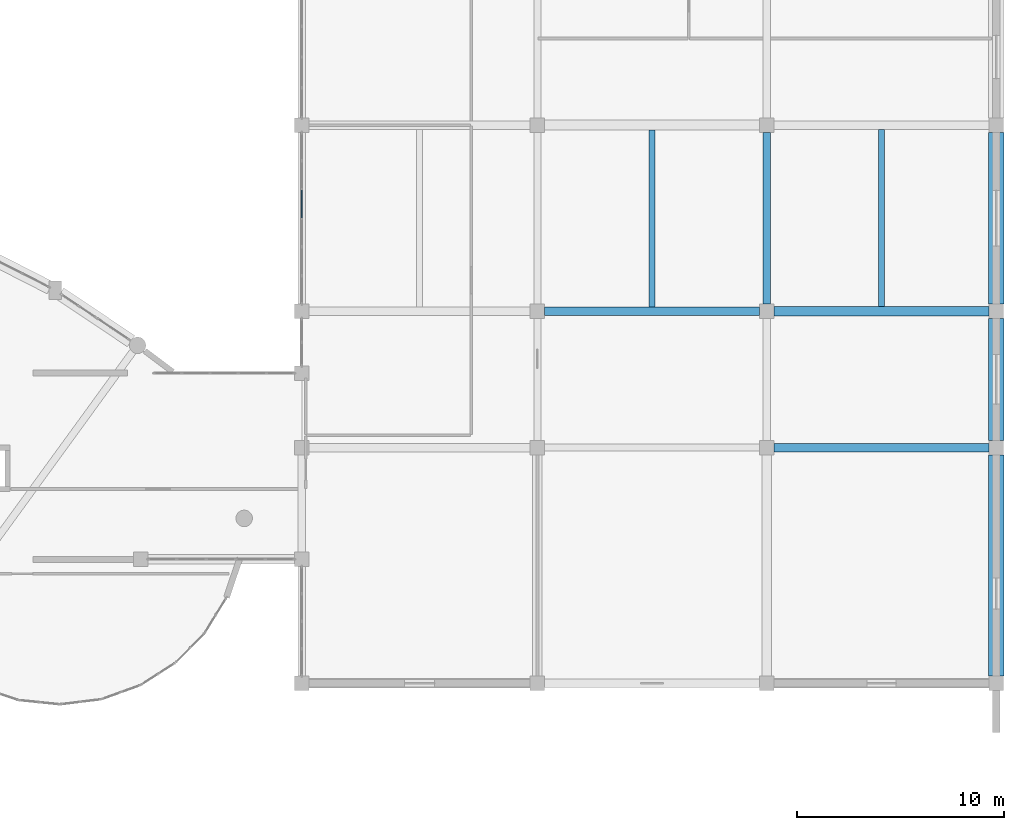
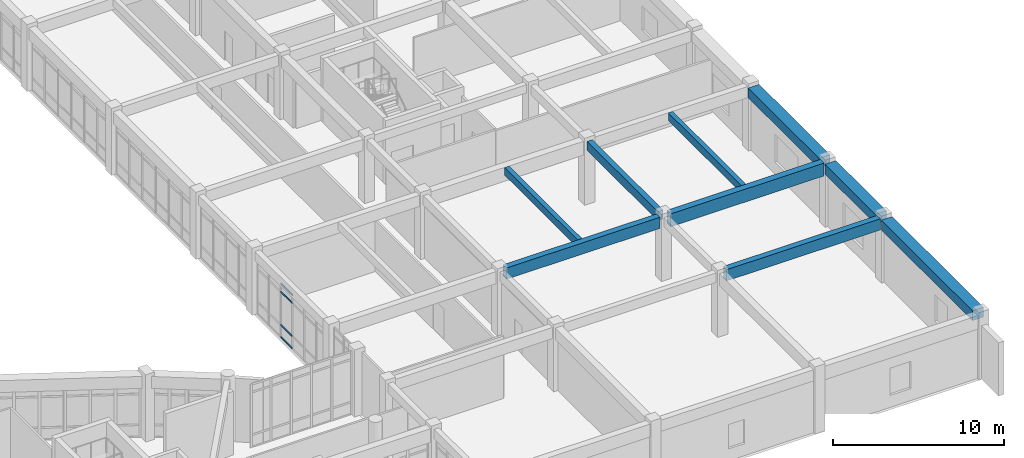
# One storey, part 26 of 65: 9 beams, 4 members, 1 element without a shape of its own.
"""IFC4 building model written with IfcOpenShell, lengths in metres."""

from ifc_helpers import new_model, si_unit, direction, frame, origin, origin_2d, place, context, subcontext, project, spatial, rectangle, extrude, material, layer, layer_set, material_profile, profile_set, type_object, element, aggregate, save


model = new_model("IFC4")

# Units and contexts
model_context = context("Model", 3, precision=1e-05, world=origin(), true_north=direction((0.0, 1.0)))
body_context = subcontext(model_context, "Body", "Model", "MODEL_VIEW")
ifc_project = project(units=[si_unit("LENGTHUNIT", "METRE"), si_unit("AREAUNIT", "SQUARE_METRE"), si_unit("VOLUMEUNIT", "CUBIC_METRE"), si_unit("PLANEANGLEUNIT", "RADIAN"), si_unit("MASSUNIT", "GRAM", prefix="KILO")], contexts=[model_context])

# Site, building, storey
site_placement = place(None, origin())
site = spatial("IfcSite", under=ifc_project, at=site_placement, CompositionType="ELEMENT")
building_placement = place(site_placement, origin())
building = spatial("IfcBuilding", under=site, at=building_placement, Name="Miralva Faculty of Natural Sciences", CompositionType="ELEMENT")
storey_placement = place(building_placement, frame((0.0, 0.0, 10.199951171875)))
storey = spatial("IfcBuildingStorey", under=building, at=storey_placement, Name="L02", CompositionType="ELEMENT", Elevation=10.199951171875)

# Beams
ifc_material_1 = material(Name="Concrete C40/50", Category="concrete")
ifc_material_profile_1 = material_profile(ifc_material_1, rectangle(XDim=0.39990234375, YDim=0.800048828125, at=origin_2d()), Name="RC 400x800")
ifc_profile_set_1 = profile_set([ifc_material_profile_1], Name="Concrete C40/50")
beam_type_1 = type_object("IfcBeamType", Name="BM-B02", PredefinedType="BEAM", material=ifc_profile_set_1)
beam_1_placement = place(storey_placement, frame((156.64990234375, 23.39990234375, 4.1201171875), z_axis=(1.0, 0.0, 0.0), x_axis=(0.0, 1.0, 0.0)))
element("IfcBeam", 1, at=beam_1_placement, inside=storey, type_object=beam_type_1, Name="Girder EW L02-24", PredefinedType="BEAM", context=body_context, shape_type="SweptSolid", body=[
    extrude(rectangle(XDim=0.39990234375, YDim=0.800048828125, at=origin_2d()), origin(), (0.0, 0.0, 1.0), 10.400146484375),
])
beam_2_placement = place(storey_placement, frame((145.550048828125, 30.0, 4.1201171875), z_axis=(1.0, 0.0, 0.0), x_axis=(0.0, 1.0, 0.0)))
element("IfcBeam", 2, at=beam_2_placement, inside=storey, type_object=beam_type_1, Name="Girder EW L02-32", PredefinedType="BEAM", context=body_context, shape_type="SweptSolid", body=[
    extrude(rectangle(XDim=0.39990234375, YDim=0.800048828125, at=origin_2d()), origin(), (0.0, 0.0, 1.0), 10.39990234375),
])
ifc_material_profile_2 = material_profile(ifc_material_1, rectangle(XDim=0.35009765625, YDim=0.64990234375, at=origin_2d()), Name="RC 350x650")
ifc_profile_set_2 = profile_set([ifc_material_profile_2], Name="Concrete C40/50")
beam_type_2 = type_object("IfcBeamType", Name="BM-B05", PredefinedType="BEAM", material=ifc_profile_set_2)
beam_3_placement = place(storey_placement, frame((156.300048828125, 30.35009765625, 4.195068359375), z_axis=(0.0, 1.0, 0.0), x_axis=(-1.0, 0.0, 0.0)))
element("IfcBeam", 3, at=beam_3_placement, inside=storey, type_object=beam_type_2, Name="Girder NS L02-136", PredefinedType="BEAM", context=body_context, shape_type="SweptSolid", body=[
    extrude(rectangle(XDim=0.35009765625, YDim=0.64990234375, at=origin_2d()), origin(), (0.0, 0.0, 1.0), 8.2998046875),
])
ifc_material_profile_3 = material_profile(ifc_material_1, rectangle(XDim=0.43994140625, YDim=0.919921875, at=origin_2d()), Name="RC 440x920")
ifc_profile_set_3 = profile_set([ifc_material_profile_3], Name="Concrete C40/50")
beam_type_3 = type_object("IfcBeamType", Name="BM-BG14", PredefinedType="BEAM", material=ifc_profile_set_3)
beam_4_placement = place(storey_placement, frame((156.64990234375, 30.0, 4.06005859375), z_axis=(1.0, 0.0, 0.0), x_axis=(0.0, 1.0, 0.0)))
element("IfcBeam", 4, at=beam_4_placement, inside=storey, type_object=beam_type_3, Name="Girder EW L02-33", PredefinedType="BEAM", context=body_context, shape_type="SweptSolid", body=[
    extrude(rectangle(XDim=0.43994140625, YDim=0.919921875, at=origin_2d()), origin(), (0.0, 0.0, 1.0), 10.400146484375),
])
ifc_material_profile_4 = material_profile(ifc_material_1, rectangle(XDim=0.300048828125, YDim=0.550048828125, at=origin_2d()), Name="RC 300x550")
ifc_profile_set_4 = profile_set([ifc_material_profile_4], Name="Concrete C40/50")
beam_type_4 = type_object("IfcBeamType", Name="BM-J02", PredefinedType="JOIST", material=ifc_profile_set_4)
beam_5_placement = place(storey_placement, frame((150.75, 30.199951171875, 4.2451171875), z_axis=(0.0, 1.0, 0.0), x_axis=(-1.0, 0.0, 0.0)))
element("IfcBeam", 5, at=beam_5_placement, inside=storey, type_object=beam_type_4, Name="Floor joist L02-10", PredefinedType="JOIST", context=body_context, shape_type="SweptSolid", body=[
    extrude(rectangle(XDim=0.300048828125, YDim=0.550048828125, at=origin_2d()), origin(), (0.0, 0.0, 1.0), 8.56005859375),
])
beam_6_placement = place(storey_placement, frame((161.85009765625, 30.219970703125, 4.2451171875), z_axis=(0.0, 1.0, 0.0), x_axis=(-1.0, 0.0, 0.0)))
element("IfcBeam", 6, at=beam_6_placement, inside=storey, type_object=beam_type_4, Name="Floor joist L02-11", PredefinedType="JOIST", context=body_context, shape_type="SweptSolid", body=[
    extrude(rectangle(XDim=0.300048828125, YDim=0.550048828125, at=origin_2d()), origin(), (0.0, 0.0, 1.0), 8.580078125),
])
ifc_material_profile_5 = material_profile(ifc_material_1, rectangle(XDim=0.75, YDim=0.699951171875, at=origin_2d()), Name="RC 750x700")
ifc_profile_set_5 = profile_set([ifc_material_profile_5], Name="Concrete C40/50")
beam_type_5 = type_object("IfcBeamType", Name="BM-SP01", PredefinedType="SPANDREL", material=ifc_profile_set_5)
beam_7_placement = place(storey_placement, frame((167.39990234375, 12.35009765625, 4.170166015625), z_axis=(0.0, 1.0, 0.0), x_axis=(-1.0, 0.0, 0.0)))
element("IfcBeam", 7, at=beam_7_placement, inside=storey, type_object=beam_type_5, Name="Girder NS L02-141", PredefinedType="SPANDREL", context=body_context, shape_type="SweptSolid", body=[
    extrude(rectangle(XDim=0.75, YDim=0.699951171875, at=origin_2d()), origin(), (0.0, 0.0, 1.0), 10.699951171875),
])
beam_8_placement = place(storey_placement, frame((167.39990234375, 23.75, 4.170166015625), z_axis=(0.0, 1.0, 0.0), x_axis=(-1.0, 0.0, 0.0)))
element("IfcBeam", 8, at=beam_8_placement, inside=storey, type_object=beam_type_5, Name="Girder NS L02-142", PredefinedType="SPANDREL", context=body_context, shape_type="SweptSolid", body=[
    extrude(rectangle(XDim=0.75, YDim=0.699951171875, at=origin_2d()), origin(), (0.0, 0.0, 1.0), 5.89990234375),
])
beam_9_placement = place(storey_placement, frame((167.39990234375, 30.35009765625, 4.170166015625), z_axis=(0.0, 1.0, 0.0), x_axis=(-1.0, 0.0, 0.0)))
element("IfcBeam", 9, at=beam_9_placement, inside=storey, type_object=beam_type_5, Name="Girder NS L02-143", PredefinedType="SPANDREL", context=body_context, shape_type="SweptSolid", body=[
    extrude(rectangle(XDim=0.75, YDim=0.699951171875, at=origin_2d()), origin(), (0.0, 0.0, 1.0), 8.2998046875),
])

# Curtain wall, members
ifc_material_2 = material(Name="Laminated solar-control glass", Category="glass")
ifc_layer = layer(ifc_material_2, 0.179931640625, Name="CW-COM-L01")
ifc_layer_set = layer_set([ifc_layer], Name="Laminated solar-control glass")
curtain_wall_type = type_object("IfcCurtainWallType", Name="CW-COM-L01", PredefinedType="USERDEFINED", material=ifc_layer_set)
curtain_wall_placement = place(storey_placement, origin())
curtain_wall = element("IfcCurtainWall", 10, at=curtain_wall_placement, inside=storey, type_object=curtain_wall_type, Name="Curtain wall CW-10 L02-270", ObjectType="UNITISED CURTAIN WALL", PredefinedType="USERDEFINED")
ifc_material_3 = material(Name="Anodised aluminium", Category="aluminium")
ifc_material_profile_6 = material_profile(ifc_material_3, rectangle(XDim=0.06005859375, YDim=0.1201171875, at=origin_2d()), Name="TRANSOM 60x120")
ifc_profile_set_6 = profile_set([ifc_material_profile_6], Name="Anodised aluminium")
member_type = type_object("IfcMemberType", Name="CW-T02", PredefinedType="USERDEFINED", material=ifc_profile_set_6)
member_1_placement = place(storey_placement, frame((133.800048828125, 34.530029296875, 0.030029296875), z_axis=(0.0, 1.0, 0.0), x_axis=(-1.0, 0.0, 0.0)))
member_1 = element("IfcMember", 11, at=member_1_placement, type_object=member_type, Name="CW-10 transom 4.1", ObjectType="TRANSOM", PredefinedType="USERDEFINED", context=body_context, shape_type="SweptSolid", body=[
    extrude(rectangle(XDim=0.06005859375, YDim=0.1201171875, at=origin_2d()), origin(), (0.0, 0.0, 1.0), 1.328369140625),
])
member_2_placement = place(storey_placement, frame((133.800048828125, 34.530029296875, 0.900146484375), z_axis=(0.0, 1.0, 0.0), x_axis=(-1.0, 0.0, 0.0)))
member_2 = element("IfcMember", 12, at=member_2_placement, type_object=member_type, Name="CW-10 transom 4.2", ObjectType="TRANSOM", PredefinedType="USERDEFINED", context=body_context, shape_type="SweptSolid", body=[
    extrude(rectangle(XDim=0.06005859375, YDim=0.1201171875, at=origin_2d()), origin(), (0.0, 0.0, 1.0), 1.328369140625),
])
member_3_placement = place(storey_placement, frame((133.800048828125, 34.530029296875, 3.26513671875), z_axis=(0.0, 1.0, 0.0), x_axis=(-1.0, 0.0, 0.0)))
member_3 = element("IfcMember", 13, at=member_3_placement, type_object=member_type, Name="CW-10 transom 4.3", ObjectType="TRANSOM", PredefinedType="USERDEFINED", context=body_context, shape_type="SweptSolid", body=[
    extrude(rectangle(XDim=0.06005859375, YDim=0.1201171875, at=origin_2d()), origin(), (0.0, 0.0, 1.0), 1.328369140625),
])
member_4_placement = place(storey_placement, frame((133.800048828125, 34.530029296875, 3.8349609375), z_axis=(0.0, 1.0, 0.0), x_axis=(-1.0, 0.0, 0.0)))
member_4 = element("IfcMember", 14, at=member_4_placement, type_object=member_type, Name="CW-10 transom 4.4", ObjectType="TRANSOM", PredefinedType="USERDEFINED", context=body_context, shape_type="SweptSolid", body=[
    extrude(rectangle(XDim=0.06005859375, YDim=0.1201171875, at=origin_2d()), origin(), (0.0, 0.0, 1.0), 1.328369140625),
])
aggregate(curtain_wall, [member_1, member_2, member_3, member_4])

save(model, "model.ifc")
